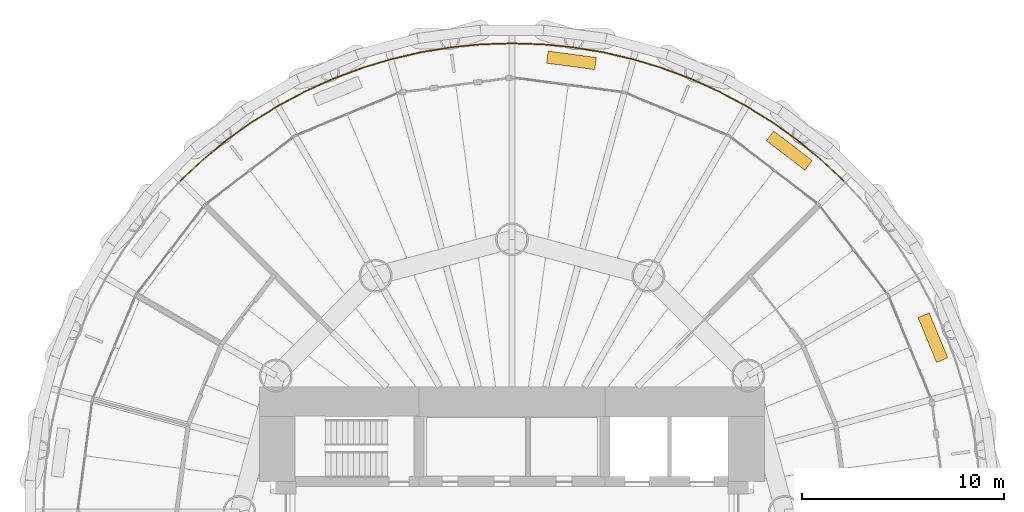
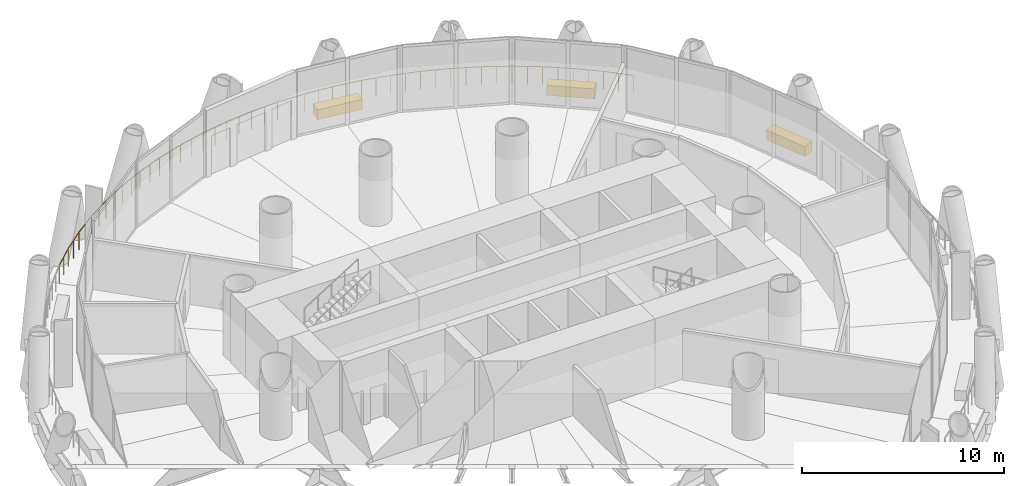
# One storey, part 15 of 15: 3 coverings, 1 railing.
"""IFC4 building model written with IfcOpenShell, lengths in metres."""

from ifc_helpers import new_model, si_unit, direction, frame, origin, origin_2d, place, context, subcontext, project, spatial, rectangle, circle, extrude, material, layer, layer_set, type_object, element, save


model = new_model("IFC4")

# Units and contexts
model_context = context("Model", 3, precision=1e-05, world=origin(), true_north=direction((0.0, 1.0)))
body_context = subcontext(model_context, "Body", "Model", "MODEL_VIEW")
ifc_project = project(units=[si_unit("LENGTHUNIT", "METRE"), si_unit("AREAUNIT", "SQUARE_METRE"), si_unit("VOLUMEUNIT", "CUBIC_METRE"), si_unit("PLANEANGLEUNIT", "RADIAN"), si_unit("MASSUNIT", "GRAM", prefix="KILO")], contexts=[model_context])

# Site, building, storey
site_placement = place(None, origin())
site = spatial("IfcSite", under=ifc_project, at=site_placement, CompositionType="ELEMENT")
building_placement = place(site_placement, origin())
building = spatial("IfcBuilding", under=site, at=building_placement, Name="Qaws Media Tower", CompositionType="ELEMENT")
storey_placement = place(building_placement, frame((0.0, 0.0, 198.199951171875)))
storey = spatial("IfcBuildingStorey", under=building, at=storey_placement, Name="L45", CompositionType="ELEMENT", Elevation=198.199951171875)

# Railing
ifc_material_1 = material(Name="Stainless steel and glass guard", Category="steel")
railing_type = type_object("IfcRailingType", Name="Balcony guard 1100", PredefinedType="GUARDRAIL", material=ifc_material_1)
railing_placement = place(storey_placement, frame((76.40478515625, 66.40478515625, 0.0)))
element("IfcRailing", 1, at=railing_placement, inside=storey, type_object=railing_type, Name="GR1 balcony guard L45-1", PredefinedType="GUARDRAIL", context=body_context, shape_type="SweptSolid", body=[
    extrude(circle(Radius=0.02392578125, at=origin_2d()), frame((0.0, 0.0, 1.076171875), z_axis=(-0.729807969016, 0.683652198388, 0.0), x_axis=(-0.683652198388, -0.729807969016, 0.0)), (0.0, 0.0, 1.0), 1.51806640625),
    extrude(circle(Radius=0.02392578125, at=origin_2d()), frame((-1.10791015625, 1.037841796875, 1.076171875), z_axis=(-0.773010685803, 0.634393000934, 0.0), x_axis=(-0.634393000934, -0.773010685803, 0.0)), (0.0, 0.0, 1.0), 1.518310546875),
    extrude(circle(Radius=0.02392578125, at=origin_2d()), frame((-2.281494140625, 2.0009765625, 1.076171875), z_axis=(-0.812874227646, 0.582439258661, 0.0), x_axis=(-0.582439258661, -0.812874227646, 0.0)), (0.0, 0.0, 1.0), 1.518310546875),
    extrude(circle(Radius=0.02392578125, at=origin_2d()), frame((-3.515625, 2.88525390625, 1.076171875), z_axis=(-0.849152775167, 0.528147294252, 0.0), x_axis=(-0.528147294252, -0.849152775167, 0.0)), (0.0, 0.0, 1.0), 1.51806640625),
    extrude(circle(Radius=0.02392578125, at=origin_2d()), frame((-4.8046875, 3.68701171875, 1.076171875), z_axis=(-0.881974308934, 0.471297483953, 0.0), x_axis=(-0.471297483953, -0.881974308934, 0.0)), (0.0, 0.0, 1.0), 1.518310546875),
    extrude(circle(Radius=0.02392578125, at=origin_2d()), frame((-6.143798828125, 4.402587890625, 1.076171875), z_axis=(-0.910823016553, 0.41279708395, 0.0), x_axis=(-0.41279708395, -0.910823016553, 0.0)), (0.0, 0.0, 1.0), 1.518310546875),
    extrude(circle(Radius=0.02392578125, at=origin_2d()), frame((-7.526611328125, 5.029296875, 1.076171875), z_axis=(-0.935932055132, 0.352180618684, 0.0), x_axis=(-0.352180618684, -0.935932055132, 0.0)), (0.0, 0.0, 1.0), 1.51806640625),
    extrude(circle(Radius=0.02392578125, at=origin_2d()), frame((-8.947509765625, 5.56396484375, 1.076171875), z_axis=(-0.956936438438, 0.290297524602, 0.0), x_axis=(-0.290297524602, -0.956936438438, 0.0)), (0.0, 0.0, 1.0), 1.51806640625),
    extrude(circle(Radius=0.02392578125, at=origin_2d()), frame((-10.400146484375, 6.004638671875, 1.076171875), z_axis=(-0.973879153952, 0.227066936159, 0.0), x_axis=(-0.227066936159, -0.973879153952, 0.0)), (0.0, 0.0, 1.0), 1.51806640625),
    extrude(circle(Radius=0.02392578125, at=origin_2d()), frame((-11.878662109375, 6.349365234375, 1.076171875), z_axis=(-0.986640555935, 0.162912287394, 0.0), x_axis=(-0.162912287394, -0.986640555935, 0.0)), (0.0, 0.0, 1.0), 1.51806640625),
    extrude(circle(Radius=0.02392578125, at=origin_2d()), frame((-13.37646484375, 6.5966796875, 1.076171875), z_axis=(-0.995177874507, 0.098086686613, 0.0), x_axis=(-0.098086686613, -0.995177874507, 0.0)), (0.0, 0.0, 1.0), 1.518310546875),
    extrude(circle(Radius=0.02392578125, at=origin_2d()), frame((-14.887451171875, 6.74560546875, 1.076171875), z_axis=(-0.999466993527, 0.032645502765, 0.0), x_axis=(-0.032645502765, -0.999466993527, 0.0)), (0.0, 0.0, 1.0), 1.51806640625),
    extrude(circle(Radius=0.02392578125, at=origin_2d()), frame((-16.40478515625, 6.795166015625, 1.076171875), z_axis=(-0.999466993527, -0.032645502765, 0.0), x_axis=(0.032645502765, -0.999466993527, 0.0)), (0.0, 0.0, 1.0), 1.51806640625),
    extrude(circle(Radius=0.02392578125, at=origin_2d()), frame((-17.922119140625, 6.74560546875, 1.076171875), z_axis=(-0.995177874507, -0.098086686613, 0.0), x_axis=(0.098086686613, -0.995177874507, 0.0)), (0.0, 0.0, 1.0), 1.518310546875),
    extrude(circle(Radius=0.02392578125, at=origin_2d()), frame((-19.43310546875, 6.5966796875, 1.076171875), z_axis=(-0.986640555935, -0.162912287394, 0.0), x_axis=(0.162912287394, -0.986640555935, 0.0)), (0.0, 0.0, 1.0), 1.51806640625),
    extrude(circle(Radius=0.02392578125, at=origin_2d()), frame((-20.930908203125, 6.349365234375, 1.076171875), z_axis=(-0.973879153952, -0.227066936159, 0.0), x_axis=(0.227066936159, -0.973879153952, 0.0)), (0.0, 0.0, 1.0), 1.51806640625),
    extrude(circle(Radius=0.02392578125, at=origin_2d()), frame((-22.409423828125, 6.004638671875, 1.076171875), z_axis=(-0.956936438438, -0.290297524602, 0.0), x_axis=(0.290297524602, -0.956936438438, 0.0)), (0.0, 0.0, 1.0), 1.51806640625),
    extrude(circle(Radius=0.02392578125, at=origin_2d()), frame((-23.862060546875, 5.56396484375, 1.076171875), z_axis=(-0.935932055132, -0.352180618684, 0.0), x_axis=(0.352180618684, -0.935932055132, 0.0)), (0.0, 0.0, 1.0), 1.51806640625),
    extrude(circle(Radius=0.02392578125, at=origin_2d()), frame((-25.282958984375, 5.029296875, 1.076171875), z_axis=(-0.910823016553, -0.41279708395, 0.0), x_axis=(0.41279708395, -0.910823016553, 0.0)), (0.0, 0.0, 1.0), 1.518310546875),
    extrude(circle(Radius=0.02392578125, at=origin_2d()), frame((-26.665771484375, 4.402587890625, 1.076171875), z_axis=(-0.881974308934, -0.471297483953, 0.0), x_axis=(0.471297483953, -0.881974308934, 0.0)), (0.0, 0.0, 1.0), 1.518310546875),
    extrude(circle(Radius=0.02392578125, at=origin_2d()), frame((-28.0048828125, 3.68701171875, 1.076171875), z_axis=(-0.849152775167, -0.528147294252, 0.0), x_axis=(0.528147294252, -0.849152775167, 0.0)), (0.0, 0.0, 1.0), 1.51806640625),
    extrude(circle(Radius=0.02392578125, at=origin_2d()), frame((-29.2939453125, 2.88525390625, 1.076171875), z_axis=(-0.812874227646, -0.582439258661, 0.0), x_axis=(0.582439258661, -0.812874227646, 0.0)), (0.0, 0.0, 1.0), 1.518310546875),
    extrude(circle(Radius=0.02392578125, at=origin_2d()), frame((-30.528076171875, 2.0009765625, 1.076171875), z_axis=(-0.773010685803, -0.634393000934, 0.0), x_axis=(0.634393000934, -0.773010685803, 0.0)), (0.0, 0.0, 1.0), 1.518310546875),
    extrude(circle(Radius=0.02392578125, at=origin_2d()), frame((-31.70166015625, 1.037841796875, 1.076171875), z_axis=(-0.729807969016, -0.683652198388, 0.0), x_axis=(0.683652198388, -0.729807969016, 0.0)), (0.0, 0.0, 1.0), 1.51806640625),
    extrude(circle(Radius=0.02099609375, at=origin_2d()), origin(), (0.0, 0.0, 1.0), 1.052001953125),
    extrude(circle(Radius=0.02099609375, at=origin_2d()), frame((-0.553955078125, 0.51904296875, 0.0)), (0.0, 0.0, 1.0), 1.052001953125),
    extrude(circle(Radius=0.02099609375, at=origin_2d()), frame((-1.10791015625, 1.037841796875, 0.0)), (0.0, 0.0, 1.0), 1.052001953125),
    extrude(circle(Radius=0.02099609375, at=origin_2d()), frame((-1.69482421875, 1.51953125, 0.0)), (0.0, 0.0, 1.0), 1.052001953125),
    extrude(circle(Radius=0.02099609375, at=origin_2d()), frame((-2.281494140625, 2.0009765625, 0.0)), (0.0, 0.0, 1.0), 1.052001953125),
    extrude(circle(Radius=0.02099609375, at=origin_2d()), frame((-2.8984375, 2.443115234375, 0.0)), (0.0, 0.0, 1.0), 1.052001953125),
    extrude(circle(Radius=0.02099609375, at=origin_2d()), frame((-3.515625, 2.88525390625, 0.0)), (0.0, 0.0, 1.0), 1.052001953125),
    extrude(circle(Radius=0.02099609375, at=origin_2d()), frame((-4.16015625, 3.2861328125, 0.0)), (0.0, 0.0, 1.0), 1.052001953125),
    extrude(circle(Radius=0.02099609375, at=origin_2d()), frame((-4.8046875, 3.68701171875, 0.0)), (0.0, 0.0, 1.0), 1.052001953125),
    extrude(circle(Radius=0.02099609375, at=origin_2d()), frame((-5.47412109375, 4.044921875, 0.0)), (0.0, 0.0, 1.0), 1.052001953125),
    extrude(circle(Radius=0.02099609375, at=origin_2d()), frame((-6.143798828125, 4.402587890625, 0.0)), (0.0, 0.0, 1.0), 1.052001953125),
    extrude(circle(Radius=0.02099609375, at=origin_2d()), frame((-6.835205078125, 4.7158203125, 0.0)), (0.0, 0.0, 1.0), 1.052001953125),
    extrude(circle(Radius=0.02099609375, at=origin_2d()), frame((-7.526611328125, 5.029296875, 0.0)), (0.0, 0.0, 1.0), 1.052001953125),
    extrude(circle(Radius=0.02099609375, at=origin_2d()), frame((-8.237060546875, 5.296630859375, 0.0)), (0.0, 0.0, 1.0), 1.052001953125),
    extrude(circle(Radius=0.02099609375, at=origin_2d()), frame((-8.947509765625, 5.56396484375, 0.0)), (0.0, 0.0, 1.0), 1.052001953125),
    extrude(circle(Radius=0.02099609375, at=origin_2d()), frame((-9.673828125, 5.7841796875, 0.0)), (0.0, 0.0, 1.0), 1.052001953125),
    extrude(circle(Radius=0.02099609375, at=origin_2d()), frame((-10.400146484375, 6.004638671875, 0.0)), (0.0, 0.0, 1.0), 1.052001953125),
    extrude(circle(Radius=0.02099609375, at=origin_2d()), frame((-11.139404296875, 6.177001953125, 0.0)), (0.0, 0.0, 1.0), 1.052001953125),
    extrude(circle(Radius=0.02099609375, at=origin_2d()), frame((-11.878662109375, 6.349365234375, 0.0)), (0.0, 0.0, 1.0), 1.052001953125),
    extrude(circle(Radius=0.02099609375, at=origin_2d()), frame((-12.62744140625, 6.47314453125, 0.0)), (0.0, 0.0, 1.0), 1.052001953125),
    extrude(circle(Radius=0.02099609375, at=origin_2d()), frame((-13.37646484375, 6.5966796875, 0.0)), (0.0, 0.0, 1.0), 1.052001953125),
    extrude(circle(Radius=0.02099609375, at=origin_2d()), frame((-14.1318359375, 6.671142578125, 0.0)), (0.0, 0.0, 1.0), 1.052001953125),
    extrude(circle(Radius=0.02099609375, at=origin_2d()), frame((-14.887451171875, 6.74560546875, 0.0)), (0.0, 0.0, 1.0), 1.052001953125),
    extrude(circle(Radius=0.02099609375, at=origin_2d()), frame((-15.64599609375, 6.7705078125, 0.0)), (0.0, 0.0, 1.0), 1.052001953125),
    extrude(circle(Radius=0.02099609375, at=origin_2d()), frame((-16.40478515625, 6.795166015625, 0.0)), (0.0, 0.0, 1.0), 1.052001953125),
    extrude(circle(Radius=0.02099609375, at=origin_2d()), frame((-17.16357421875, 6.7705078125, 0.0)), (0.0, 0.0, 1.0), 1.052001953125),
    extrude(circle(Radius=0.02099609375, at=origin_2d()), frame((-17.922119140625, 6.74560546875, 0.0)), (0.0, 0.0, 1.0), 1.052001953125),
    extrude(circle(Radius=0.02099609375, at=origin_2d()), frame((-18.677734375, 6.671142578125, 0.0)), (0.0, 0.0, 1.0), 1.052001953125),
    extrude(circle(Radius=0.02099609375, at=origin_2d()), frame((-19.43310546875, 6.5966796875, 0.0)), (0.0, 0.0, 1.0), 1.052001953125),
    extrude(circle(Radius=0.02099609375, at=origin_2d()), frame((-20.18212890625, 6.47314453125, 0.0)), (0.0, 0.0, 1.0), 1.052001953125),
    extrude(circle(Radius=0.02099609375, at=origin_2d()), frame((-20.930908203125, 6.349365234375, 0.0)), (0.0, 0.0, 1.0), 1.052001953125),
    extrude(circle(Radius=0.02099609375, at=origin_2d()), frame((-21.670166015625, 6.177001953125, 0.0)), (0.0, 0.0, 1.0), 1.052001953125),
    extrude(circle(Radius=0.02099609375, at=origin_2d()), frame((-22.409423828125, 6.004638671875, 0.0)), (0.0, 0.0, 1.0), 1.052001953125),
    extrude(circle(Radius=0.02099609375, at=origin_2d()), frame((-23.1357421875, 5.7841796875, 0.0)), (0.0, 0.0, 1.0), 1.052001953125),
    extrude(circle(Radius=0.02099609375, at=origin_2d()), frame((-23.862060546875, 5.56396484375, 0.0)), (0.0, 0.0, 1.0), 1.052001953125),
    extrude(circle(Radius=0.02099609375, at=origin_2d()), frame((-24.572509765625, 5.296630859375, 0.0)), (0.0, 0.0, 1.0), 1.052001953125),
    extrude(circle(Radius=0.02099609375, at=origin_2d()), frame((-25.282958984375, 5.029296875, 0.0)), (0.0, 0.0, 1.0), 1.052001953125),
    extrude(circle(Radius=0.02099609375, at=origin_2d()), frame((-25.974365234375, 4.7158203125, 0.0)), (0.0, 0.0, 1.0), 1.052001953125),
    extrude(circle(Radius=0.02099609375, at=origin_2d()), frame((-26.665771484375, 4.402587890625, 0.0)), (0.0, 0.0, 1.0), 1.052001953125),
    extrude(circle(Radius=0.02099609375, at=origin_2d()), frame((-27.33544921875, 4.044921875, 0.0)), (0.0, 0.0, 1.0), 1.052001953125),
    extrude(circle(Radius=0.02099609375, at=origin_2d()), frame((-28.0048828125, 3.68701171875, 0.0)), (0.0, 0.0, 1.0), 1.052001953125),
    extrude(circle(Radius=0.02099609375, at=origin_2d()), frame((-28.6494140625, 3.2861328125, 0.0)), (0.0, 0.0, 1.0), 1.052001953125),
    extrude(circle(Radius=0.02099609375, at=origin_2d()), frame((-29.2939453125, 2.88525390625, 0.0)), (0.0, 0.0, 1.0), 1.052001953125),
    extrude(circle(Radius=0.02099609375, at=origin_2d()), frame((-29.9111328125, 2.443115234375, 0.0)), (0.0, 0.0, 1.0), 1.052001953125),
    extrude(circle(Radius=0.02099609375, at=origin_2d()), frame((-30.528076171875, 2.0009765625, 0.0)), (0.0, 0.0, 1.0), 1.052001953125),
    extrude(circle(Radius=0.02099609375, at=origin_2d()), frame((-31.11474609375, 1.51953125, 0.0)), (0.0, 0.0, 1.0), 1.052001953125),
    extrude(circle(Radius=0.02099609375, at=origin_2d()), frame((-31.70166015625, 1.037841796875, 0.0)), (0.0, 0.0, 1.0), 1.052001953125),
    extrude(circle(Radius=0.02099609375, at=origin_2d()), frame((-32.255615234375, 0.51904296875, 0.0)), (0.0, 0.0, 1.0), 1.052001953125),
    extrude(circle(Radius=0.02099609375, at=origin_2d()), frame((-32.8095703125, 0.0, 0.0)), (0.0, 0.0, 1.0), 1.052001953125),
])

# Coverings
ifc_material_2 = material(Name="Precast concrete planter with trailing planting", Category="concrete")
ifc_layer = layer(ifc_material_2, 0.60009765625)
ifc_layer_set = layer_set([ifc_layer], Name="Planter 2400x600")
covering_type = type_object("IfcCoveringType", Name="Planter 2400x600", PredefinedType="USERDEFINED", material=ifc_layer_set)
for number, where, z_axis, x_axis, name in (
    (2, (80.83349609375, 58.62939453125, 0.0), (0.0, 0.0, 1.0), (-0.382683432365, 0.923879532511, 0.0), "PL1 balcony planter L45-01"),
    (3, (73.7275390625, 67.89013671875, 0.0), (0.0, 0.0, 1.0), (-0.793353340291, 0.608761429009, 0.0), "PL1 balcony planter L45-02"),
    (4, (62.943359375, 72.357177734375, 0.0), (0.0, 0.0, 1.0), (-0.991444861374, 0.13052619222, 0.0), "PL1 balcony planter L45-03"),
):
    element("IfcCovering", number, at=place(storey_placement, frame(where, z_axis=z_axis, x_axis=x_axis)), inside=storey, type_object=covering_type, Name=name, ObjectType="PLANTER", PredefinedType="USERDEFINED", context=body_context, shape_type="SweptSolid", body=[
        extrude(rectangle(XDim=2.39990234375, YDim=0.60009765625, at=origin_2d()), origin(), (0.0, 0.0, 1.0), 0.60009765625),
    ])

save(model, "model.ifc")
